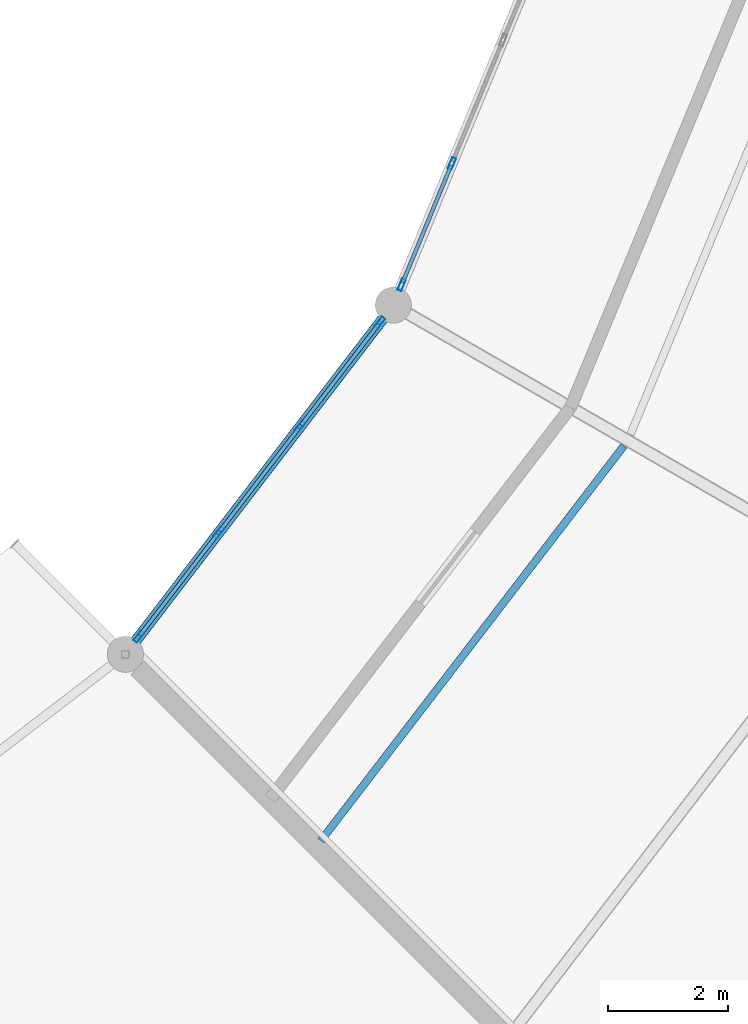
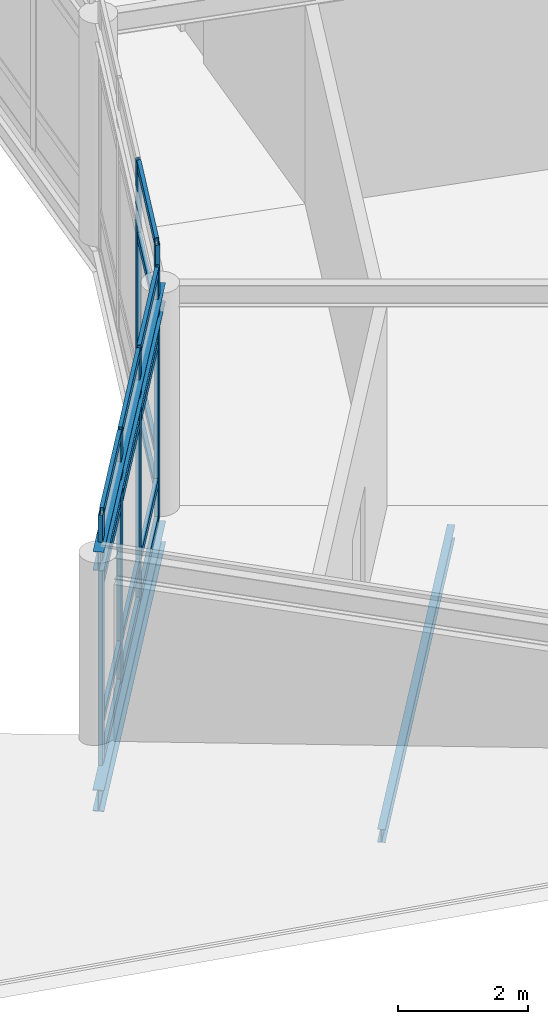
# One storey, part 57 of 185: 22 members, 3 beams, 2 elements without a shape of their own.
"""IFC4 building model written with IfcOpenShell, lengths in metres."""

from ifc_helpers import new_model, si_unit, direction, frame, origin, origin_2d, place, context, subcontext, project, spatial, hollow_rectangle, i_section, extrude, material, material_profile, profile_set, type_object, element, aggregate, save


model = new_model("IFC4")

# Units and contexts
model_context = context("Model", 3, precision=1e-05, world=origin(), true_north=direction((0.0, 1.0)))
body_context = subcontext(model_context, "Body", "Model", "MODEL_VIEW")
ifc_project = project(units=[si_unit("LENGTHUNIT", "METRE"), si_unit("AREAUNIT", "SQUARE_METRE"), si_unit("VOLUMEUNIT", "CUBIC_METRE"), si_unit("PLANEANGLEUNIT", "RADIAN"), si_unit("MASSUNIT", "GRAM", prefix="KILO")], contexts=[model_context])

# Site, building, storey
site_placement = place(None, origin())
site = spatial("IfcSite", under=ifc_project, at=site_placement, CompositionType="ELEMENT")
building_placement = place(site_placement, origin())
building = spatial("IfcBuilding", under=site, at=building_placement, Name="Vondelvale Polytechnic", CompositionType="ELEMENT")
storey_placement = place(building_placement, frame((0.0, 0.0, 9.60009765625)))
storey = spatial("IfcBuildingStorey", under=building, at=storey_placement, Name="L02", CompositionType="ELEMENT", Elevation=9.60009765625)

# Beams
ifc_material_1 = material(Name="Steel 300PLUS (fy = 300 MPa)", Category="steel")
ifc_material_profile_1 = material_profile(ifc_material_1, i_section(OverallWidth=0.1708984375, OverallDepth=0.35205078125, WebThickness=0.0068359375, FlangeThickness=0.009765625, FilletRadius=0.011474609375, at=origin_2d()), Name="360UB44.7")
ifc_profile_set_1 = profile_set([ifc_material_profile_1], Name="Steel 300PLUS (fy = 300 MPa)")
beam_type_1 = type_object("IfcBeamType", Name="BM-UB360L", PredefinedType="BEAM", material=ifc_profile_set_1)
beam_1_placement = place(storey_placement, frame((121.799072265625, 52.200927734375, 4.02392578125), z_axis=(0.608754744979, 0.793358469083, 0.0), x_axis=(-0.793358469083, 0.608754744979, 0.0)))
element("IfcBeam", 1, at=beam_1_placement, inside=storey, type_object=beam_type_1, Name="L02 RE B-24", PredefinedType="BEAM", context=body_context, shape_type="SweptSolid", body=[
    extrude(i_section(OverallWidth=0.1708984375, OverallDepth=0.35205078125, WebThickness=0.0068359375, FlangeThickness=0.009765625, FilletRadius=0.011474609375, at=origin_2d()), origin(), (0.0, 0.0, 1.0), 7.3095703125),
])
ifc_material_profile_2 = material_profile(ifc_material_1, i_section(OverallWidth=0.177978515625, OverallDepth=0.403076171875, WebThickness=0.007568359375, FlangeThickness=0.010986328125, FilletRadius=0.011474609375, at=origin_2d()), Name="410UB53.7")
ifc_profile_set_2 = profile_set([ifc_material_profile_2], Name="Steel 300PLUS (fy = 300 MPa)")
beam_type_2 = type_object("IfcBeamType", Name="BM-UB410L", PredefinedType="BEAM", material=ifc_profile_set_2)
beam_2_placement = place(storey_placement, frame((121.799072265625, 52.200927734375, -0.481689453125), z_axis=(0.608754744979, 0.793358469083, 0.0), x_axis=(-0.793358469083, 0.608754744979, 0.0)))
element("IfcBeam", 2, at=beam_2_placement, inside=storey, type_object=beam_type_2, Name="L02 RB B-23", PredefinedType="BEAM", context=body_context, shape_type="SweptSolid", body=[
    extrude(i_section(OverallWidth=0.177978515625, OverallDepth=0.403076171875, WebThickness=0.007568359375, FlangeThickness=0.010986328125, FilletRadius=0.011474609375, at=origin_2d()), origin(), (0.0, 0.0, 1.0), 7.3095703125),
])

# Curtain wall, members
ifc_material_2 = material(Name="Anodised extruded aluminium 6063-T6", Category="aluminium")
curtain_wall_type = type_object("IfcCurtainWallType", Name="CW-RING-CLOISTER", PredefinedType="NOTDEFINED", material=ifc_material_2)
curtain_wall_1_placement = place(storey_placement, origin())
curtain_wall_1 = element("IfcCurtainWall", 3, at=curtain_wall_1_placement, inside=storey, type_object=curtain_wall_type, Name="L02 architectural curtain wall CW-03-355", PredefinedType="NOTDEFINED")
ifc_material_profile_3 = material_profile(ifc_material_2, hollow_rectangle(XDim=0.070068359375, YDim=0.199951171875, WallThickness=0.00390625, at=origin_2d()), Name="CW-MUL-200x70")
ifc_profile_set_3 = profile_set([ifc_material_profile_3], Name="Anodised extruded aluminium 6063-T6")
member_type_1 = type_object("IfcMemberType", Name="CW-MUL-70x200", PredefinedType="MULLION", material=ifc_profile_set_3)
member_1_placement = place(storey_placement, frame((122.0205078125, 52.489501953125, 0.0), z_axis=(0.0, 0.0, 1.0), x_axis=(-0.793363861089, 0.608747717793, 0.0)))
member_1 = element("IfcMember", 4, at=member_1_placement, type_object=member_type_1, Name="CW-03-355 mullion 1", PredefinedType="MULLION", context=body_context, shape_type="SweptSolid", body=[
    extrude(hollow_rectangle(XDim=0.070068359375, YDim=0.199951171875, WallThickness=0.00390625, at=origin_2d()), origin(), (0.0, 0.0, 1.0), 4.713134765625),
])
member_2_placement = place(storey_placement, frame((123.348876953125, 54.220947265625, 0.0), z_axis=(0.0, 0.0, 1.0), x_axis=(-0.793363861089, 0.608747717793, 0.0)))
member_2 = element("IfcMember", 5, at=member_2_placement, type_object=member_type_1, Name="CW-03-355 mullion 2", PredefinedType="MULLION", context=body_context, shape_type="SweptSolid", body=[
    extrude(hollow_rectangle(XDim=0.070068359375, YDim=0.199951171875, WallThickness=0.00390625, at=origin_2d()), origin(), (0.0, 0.0, 1.0), 4.713134765625),
])
member_3_placement = place(storey_placement, frame((124.69873046875, 55.97998046875, 0.0), z_axis=(0.0, 0.0, 1.0), x_axis=(-0.793363861089, 0.608747717793, 0.0)))
member_3 = element("IfcMember", 6, at=member_3_placement, type_object=member_type_1, Name="CW-03-355 mullion 3", PredefinedType="MULLION", context=body_context, shape_type="SweptSolid", body=[
    extrude(hollow_rectangle(XDim=0.070068359375, YDim=0.199951171875, WallThickness=0.00390625, at=origin_2d()), origin(), (0.0, 0.0, 1.0), 4.713134765625),
])
member_4_placement = place(storey_placement, frame((126.02734375, 57.71142578125, 0.0), z_axis=(0.0, 0.0, 1.0), x_axis=(-0.793363861089, 0.608747717793, 0.0)))
member_4 = element("IfcMember", 7, at=member_4_placement, type_object=member_type_1, Name="CW-03-355 mullion 4", PredefinedType="MULLION", context=body_context, shape_type="SweptSolid", body=[
    extrude(hollow_rectangle(XDim=0.070068359375, YDim=0.199951171875, WallThickness=0.00390625, at=origin_2d()), origin(), (0.0, 0.0, 1.0), 4.713134765625),
])

curtain_wall_2_placement = place(storey_placement, origin())
curtain_wall_2 = element("IfcCurtainWall", 8, at=curtain_wall_2_placement, inside=storey, type_object=curtain_wall_type, Name="L02 architectural curtain wall CW-03-366", PredefinedType="NOTDEFINED")
member_5_placement = place(storey_placement, frame((126.388427734375, 58.337158203125, 0.0), z_axis=(0.0, 0.0, 1.0), x_axis=(-0.923881562419, 0.382678531697, 0.0)))
member_5 = element("IfcMember", 9, at=member_5_placement, type_object=member_type_1, Name="CW-03-366 mullion 1", PredefinedType="MULLION", context=body_context, shape_type="SweptSolid", body=[
    extrude(hollow_rectangle(XDim=0.070068359375, YDim=0.199951171875, WallThickness=0.00390625, at=origin_2d()), origin(), (0.0, 0.0, 1.0), 4.713134765625),
])
member_6_placement = place(storey_placement, frame((127.22314453125, 60.352783203125, 0.0), z_axis=(0.0, 0.0, 1.0), x_axis=(-0.923881562419, 0.382678531697, 0.0)))
member_6 = element("IfcMember", 10, at=member_6_placement, type_object=member_type_1, Name="CW-03-366 mullion 2", PredefinedType="MULLION", context=body_context, shape_type="SweptSolid", body=[
    extrude(hollow_rectangle(XDim=0.070068359375, YDim=0.199951171875, WallThickness=0.00390625, at=origin_2d()), origin(), (0.0, 0.0, 1.0), 4.713134765625),
])

# Member
ifc_material_profile_4 = material_profile(ifc_material_2, hollow_rectangle(XDim=0.06494140625, YDim=0.159912109375, WallThickness=0.00341796875, at=origin_2d()), Name="CW-TRN-160x65")
ifc_profile_set_4 = profile_set([ifc_material_profile_4], Name="Anodised extruded aluminium 6063-T6")
member_type_2 = type_object("IfcMemberType", Name="CW-TRN-70x160", PredefinedType="USERDEFINED", material=ifc_profile_set_4)
member_7_placement = place(storey_placement, frame((122.041748046875, 52.517333984375, 0.032470703125), z_axis=(0.608766343448, 0.793349569285, 0.0), x_axis=(-0.793349569285, 0.608766343448, 0.0)))
member_7 = element("IfcMember", 11, at=member_7_placement, type_object=member_type_2, Name="CW-03-355 transom 1.1", ObjectType="TRANSOM", PredefinedType="USERDEFINED", context=body_context, shape_type="SweptSolid", body=[
    extrude(hollow_rectangle(XDim=0.06494140625, YDim=0.159912109375, WallThickness=0.00341796875, at=origin_2d()), origin(), (0.0, 0.0, 1.0), 2.1123046875),
])

member_8_placement = place(storey_placement, frame((122.041748046875, 52.517333984375, 0.75), z_axis=(0.608766343448, 0.793349569285, 0.0), x_axis=(-0.793349569285, 0.608766343448, 0.0)))
member_8 = element("IfcMember", 12, at=member_8_placement, type_object=member_type_2, Name="CW-03-355 transom 1.2", ObjectType="TRANSOM", PredefinedType="USERDEFINED", context=body_context, shape_type="SweptSolid", body=[
    extrude(hollow_rectangle(XDim=0.06494140625, YDim=0.159912109375, WallThickness=0.00341796875, at=origin_2d()), origin(), (0.0, 0.0, 1.0), 2.1123046875),
])

member_9_placement = place(storey_placement, frame((122.041748046875, 52.517333984375, 3.363037109375), z_axis=(0.608766343448, 0.793349569285, 0.0), x_axis=(-0.793349569285, 0.608766343448, 0.0)))
member_9 = element("IfcMember", 13, at=member_9_placement, type_object=member_type_2, Name="CW-03-355 transom 1.3", ObjectType="TRANSOM", PredefinedType="USERDEFINED", context=body_context, shape_type="SweptSolid", body=[
    extrude(hollow_rectangle(XDim=0.06494140625, YDim=0.159912109375, WallThickness=0.00341796875, at=origin_2d()), origin(), (0.0, 0.0, 1.0), 2.1123046875),
])

member_10_placement = place(storey_placement, frame((122.041748046875, 52.517333984375, 4.6806640625), z_axis=(0.608766343448, 0.793349569285, 0.0), x_axis=(-0.793349569285, 0.608766343448, 0.0)))
member_10 = element("IfcMember", 14, at=member_10_placement, type_object=member_type_2, Name="CW-03-355 transom 1.4", ObjectType="TRANSOM", PredefinedType="USERDEFINED", context=body_context, shape_type="SweptSolid", body=[
    extrude(hollow_rectangle(XDim=0.06494140625, YDim=0.159912109375, WallThickness=0.00341796875, at=origin_2d()), origin(), (0.0, 0.0, 1.0), 2.1123046875),
])

member_11_placement = place(storey_placement, frame((123.370361328125, 54.248779296875, 0.032470703125), z_axis=(0.608732251269, 0.793375728306, 0.0), x_axis=(-0.793375728306, 0.608732251269, 0.0)))
member_11 = element("IfcMember", 15, at=member_11_placement, type_object=member_type_2, Name="CW-03-355 transom 2.1", ObjectType="TRANSOM", PredefinedType="USERDEFINED", context=body_context, shape_type="SweptSolid", body=[
    extrude(hollow_rectangle(XDim=0.06494140625, YDim=0.159912109375, WallThickness=0.00341796875, at=origin_2d()), origin(), (0.0, 0.0, 1.0), 2.147216796875),
])

member_12_placement = place(storey_placement, frame((123.370361328125, 54.248779296875, 0.75), z_axis=(0.608732251269, 0.793375728306, 0.0), x_axis=(-0.793375728306, 0.608732251269, 0.0)))
member_12 = element("IfcMember", 16, at=member_12_placement, type_object=member_type_2, Name="CW-03-355 transom 2.2", ObjectType="TRANSOM", PredefinedType="USERDEFINED", context=body_context, shape_type="SweptSolid", body=[
    extrude(hollow_rectangle(XDim=0.06494140625, YDim=0.159912109375, WallThickness=0.00341796875, at=origin_2d()), origin(), (0.0, 0.0, 1.0), 2.147216796875),
])

member_13_placement = place(storey_placement, frame((123.370361328125, 54.248779296875, 3.363037109375), z_axis=(0.608732251269, 0.793375728306, 0.0), x_axis=(-0.793375728306, 0.608732251269, 0.0)))
member_13 = element("IfcMember", 17, at=member_13_placement, type_object=member_type_2, Name="CW-03-355 transom 2.3", ObjectType="TRANSOM", PredefinedType="USERDEFINED", context=body_context, shape_type="SweptSolid", body=[
    extrude(hollow_rectangle(XDim=0.06494140625, YDim=0.159912109375, WallThickness=0.00341796875, at=origin_2d()), origin(), (0.0, 0.0, 1.0), 2.147216796875),
])

member_14_placement = place(storey_placement, frame((123.370361328125, 54.248779296875, 4.6806640625), z_axis=(0.608732251269, 0.793375728306, 0.0), x_axis=(-0.793375728306, 0.608732251269, 0.0)))
member_14 = element("IfcMember", 18, at=member_14_placement, type_object=member_type_2, Name="CW-03-355 transom 2.4", ObjectType="TRANSOM", PredefinedType="USERDEFINED", context=body_context, shape_type="SweptSolid", body=[
    extrude(hollow_rectangle(XDim=0.06494140625, YDim=0.159912109375, WallThickness=0.00341796875, at=origin_2d()), origin(), (0.0, 0.0, 1.0), 2.147216796875),
])

member_15_placement = place(storey_placement, frame((124.719970703125, 56.0078125, 0.032470703125), z_axis=(0.608783266169, 0.793336583571, 0.0), x_axis=(-0.793336583571, 0.608783266169, 0.0)))
member_15 = element("IfcMember", 19, at=member_15_placement, type_object=member_type_2, Name="CW-03-355 transom 3.1", ObjectType="TRANSOM", PredefinedType="USERDEFINED", context=body_context, shape_type="SweptSolid", body=[
    extrude(hollow_rectangle(XDim=0.06494140625, YDim=0.159912109375, WallThickness=0.00341796875, at=origin_2d()), origin(), (0.0, 0.0, 1.0), 2.112548828125),
])

member_16_placement = place(storey_placement, frame((124.719970703125, 56.0078125, 0.75), z_axis=(0.608783266169, 0.793336583571, 0.0), x_axis=(-0.793336583571, 0.608783266169, 0.0)))
member_16 = element("IfcMember", 20, at=member_16_placement, type_object=member_type_2, Name="CW-03-355 transom 3.2", ObjectType="TRANSOM", PredefinedType="USERDEFINED", context=body_context, shape_type="SweptSolid", body=[
    extrude(hollow_rectangle(XDim=0.06494140625, YDim=0.159912109375, WallThickness=0.00341796875, at=origin_2d()), origin(), (0.0, 0.0, 1.0), 2.112548828125),
])

member_17_placement = place(storey_placement, frame((124.719970703125, 56.0078125, 3.363037109375), z_axis=(0.608783266169, 0.793336583571, 0.0), x_axis=(-0.793336583571, 0.608783266169, 0.0)))
member_17 = element("IfcMember", 21, at=member_17_placement, type_object=member_type_2, Name="CW-03-355 transom 3.3", ObjectType="TRANSOM", PredefinedType="USERDEFINED", context=body_context, shape_type="SweptSolid", body=[
    extrude(hollow_rectangle(XDim=0.06494140625, YDim=0.159912109375, WallThickness=0.00341796875, at=origin_2d()), origin(), (0.0, 0.0, 1.0), 2.112548828125),
])

member_18_placement = place(storey_placement, frame((124.719970703125, 56.0078125, 4.6806640625), z_axis=(0.608783266169, 0.793336583571, 0.0), x_axis=(-0.793336583571, 0.608783266169, 0.0)))
member_18 = element("IfcMember", 22, at=member_18_placement, type_object=member_type_2, Name="CW-03-355 transom 3.4", ObjectType="TRANSOM", PredefinedType="USERDEFINED", context=body_context, shape_type="SweptSolid", body=[
    extrude(hollow_rectangle(XDim=0.06494140625, YDim=0.159912109375, WallThickness=0.00341796875, at=origin_2d()), origin(), (0.0, 0.0, 1.0), 2.112548828125),
])

aggregate(curtain_wall_1, [member_1, member_2, member_3, member_4, member_7, member_8, member_9, member_10, member_11, member_12, member_13, member_14, member_15, member_16, member_17, member_18])

member_19_placement = place(storey_placement, frame((126.40185546875, 58.36962890625, 0.032470703125), z_axis=(0.382627532503, 0.923902685011, 0.0), x_axis=(-0.923902685011, 0.382627532503, 0.0)))
member_19 = element("IfcMember", 23, at=member_19_placement, type_object=member_type_2, Name="CW-03-366 transom 1.1", ObjectType="TRANSOM", PredefinedType="USERDEFINED", context=body_context, shape_type="SweptSolid", body=[
    extrude(hollow_rectangle(XDim=0.06494140625, YDim=0.159912109375, WallThickness=0.00341796875, at=origin_2d()), origin(), (0.0, 0.0, 1.0), 2.111328125),
])

member_20_placement = place(storey_placement, frame((126.40185546875, 58.36962890625, 0.75), z_axis=(0.382627532503, 0.923902685011, 0.0), x_axis=(-0.923902685011, 0.382627532503, 0.0)))
member_20 = element("IfcMember", 24, at=member_20_placement, type_object=member_type_2, Name="CW-03-366 transom 1.2", ObjectType="TRANSOM", PredefinedType="USERDEFINED", context=body_context, shape_type="SweptSolid", body=[
    extrude(hollow_rectangle(XDim=0.06494140625, YDim=0.159912109375, WallThickness=0.00341796875, at=origin_2d()), origin(), (0.0, 0.0, 1.0), 2.111328125),
])

member_21_placement = place(storey_placement, frame((126.40185546875, 58.36962890625, 3.363037109375), z_axis=(0.382627532503, 0.923902685011, 0.0), x_axis=(-0.923902685011, 0.382627532503, 0.0)))
member_21 = element("IfcMember", 25, at=member_21_placement, type_object=member_type_2, Name="CW-03-366 transom 1.3", ObjectType="TRANSOM", PredefinedType="USERDEFINED", context=body_context, shape_type="SweptSolid", body=[
    extrude(hollow_rectangle(XDim=0.06494140625, YDim=0.159912109375, WallThickness=0.00341796875, at=origin_2d()), origin(), (0.0, 0.0, 1.0), 2.111328125),
])

member_22_placement = place(storey_placement, frame((126.40185546875, 58.36962890625, 4.6806640625), z_axis=(0.382627532503, 0.923902685011, 0.0), x_axis=(-0.923902685011, 0.382627532503, 0.0)))
member_22 = element("IfcMember", 26, at=member_22_placement, type_object=member_type_2, Name="CW-03-366 transom 1.4", ObjectType="TRANSOM", PredefinedType="USERDEFINED", context=body_context, shape_type="SweptSolid", body=[
    extrude(hollow_rectangle(XDim=0.06494140625, YDim=0.159912109375, WallThickness=0.00341796875, at=origin_2d()), origin(), (0.0, 0.0, 1.0), 2.111328125),
])

aggregate(curtain_wall_2, [member_5, member_6, member_19, member_20, member_21, member_22])

# Beam
ifc_material_profile_5 = material_profile(ifc_material_1, i_section(OverallWidth=0.1240234375, OverallDepth=0.248046875, WebThickness=0.0048828125, FlangeThickness=0.008056640625, FilletRadius=0.0087890625, at=origin_2d()), Name="250UB25.7")
ifc_profile_set_5 = profile_set([ifc_material_profile_5], Name="Steel 300PLUS (fy = 300 MPa)")
beam_type_3 = type_object("IfcBeamType", Name="JST-UB250L", PredefinedType="JOIST", material=ifc_profile_set_5)
beam_3_placement = place(storey_placement, frame((125.048095703125, 49.106201171875, -0.404052734375), z_axis=(0.608750899721, 0.793361419587, 0.0), x_axis=(-0.793361419587, 0.608750899721, 0.0)))
element("IfcBeam", 27, at=beam_3_placement, inside=storey, type_object=beam_type_3, Name="L02 RJ J-08", PredefinedType="JOIST", context=body_context, shape_type="SweptSolid", body=[
    extrude(i_section(OverallWidth=0.1240234375, OverallDepth=0.248046875, WebThickness=0.0048828125, FlangeThickness=0.008056640625, FilletRadius=0.0087890625, at=origin_2d()), origin(), (0.0, 0.0, 1.0), 8.26416015625),
])

save(model, "model.ifc")
